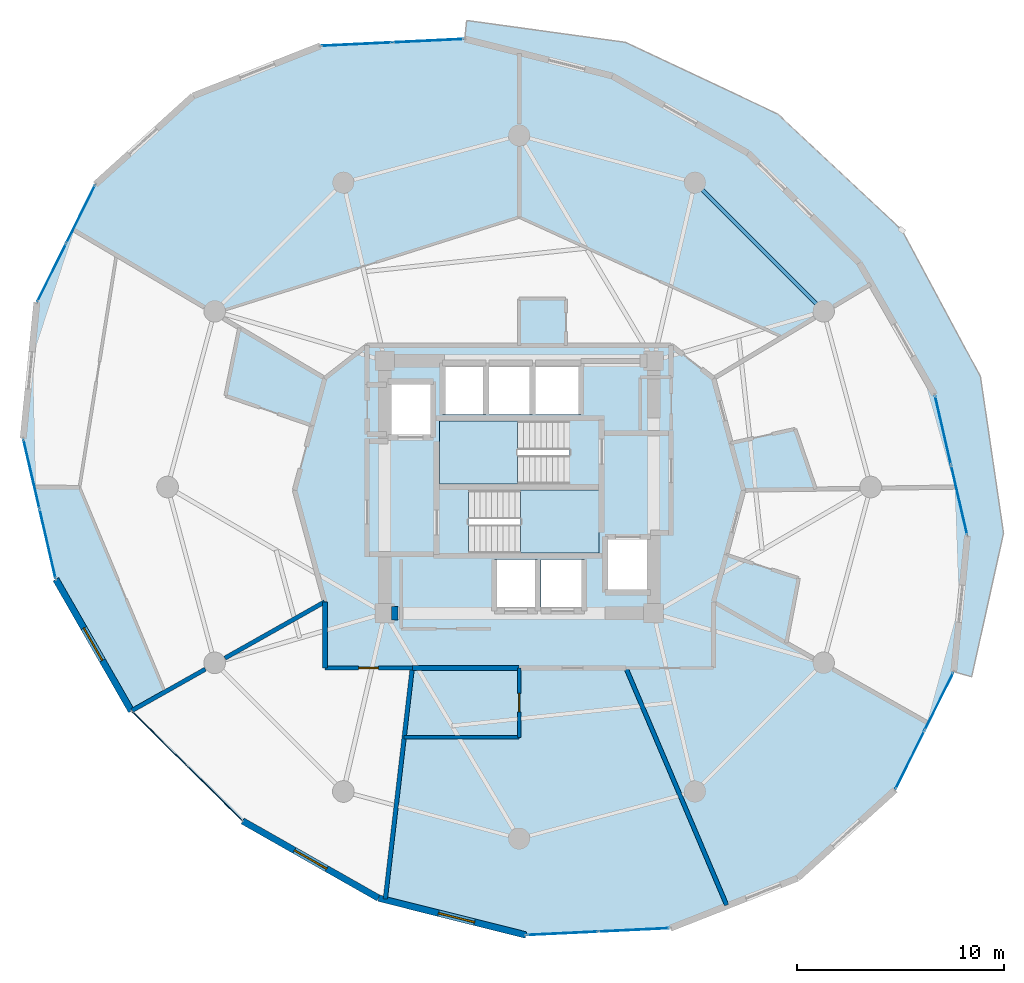
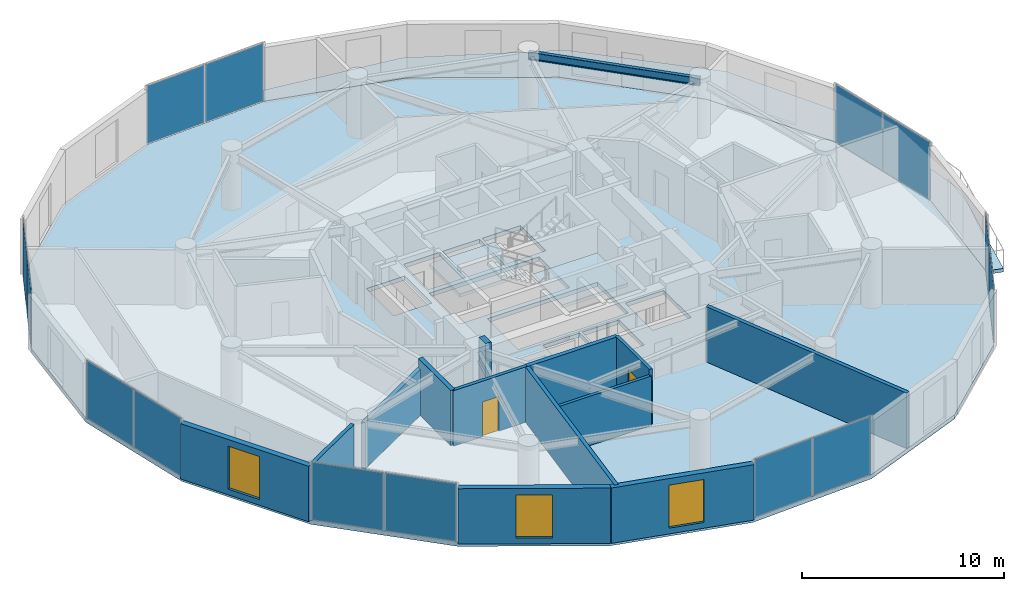
# One storey, part 19 of 25: 14 plates, 13 walls, 4 slabs, 3 windows, 2 doors, 1 beam, 5 openings, 9 elements without a shape of their own.
"""IFC4 building model written with IfcOpenShell, lengths in metres."""

from ifc_helpers import new_model, si_unit, direction, frame, frame_2d, origin, origin_2d, place, context, subcontext, project, spatial, polyline, rectangle, i_section, outline, extrude, source, transform, mapped, material, layer, layer_set, material_profile, profile_set, type_object, element, fill, aggregate, save


model = new_model("IFC4")

# Units and contexts
model_context = context("Model", 3, precision=1e-05, world=origin(), true_north=direction((0.0, 1.0)))
body_context = subcontext(model_context, "Body", "Model", "MODEL_VIEW")
ifc_project = project(units=[si_unit("LENGTHUNIT", "METRE"), si_unit("AREAUNIT", "SQUARE_METRE"), si_unit("VOLUMEUNIT", "CUBIC_METRE"), si_unit("PLANEANGLEUNIT", "RADIAN"), si_unit("MASSUNIT", "GRAM", prefix="KILO")], contexts=[model_context])

# Site, building, storey
site_placement = place(None, origin())
site = spatial("IfcSite", under=ifc_project, at=site_placement, CompositionType="ELEMENT")
building_placement = place(site_placement, origin())
building = spatial("IfcBuilding", under=site, at=building_placement, Name="Solvirekh Grand Hotel", CompositionType="ELEMENT")
storey_placement = place(building_placement, frame((0.0, 0.0, 124.199951171875)))
storey = spatial("IfcBuildingStorey", under=building, at=storey_placement, Name="L31", CompositionType="ELEMENT", Elevation=124.199951171875)

# Beam
ifc_material_1 = material(Name="Steel S355", Category="steel")
ifc_material_profile = material_profile(ifc_material_1, i_section(OverallWidth=0.18994140625, OverallDepth=0.45703125, WebThickness=0.009033203125, FlangeThickness=0.013916015625, FilletRadius=0.012939453125, at=origin_2d()), Name="W460X74")
ifc_profile_set = profile_set([ifc_material_profile], Name="Steel S355")
beam_type = type_object("IfcBeamType", Name="Spandrel_Ring_W460", PredefinedType="SPANDREL", material=ifc_profile_set)
beam_placement = place(storey_placement, frame((14.721923828125, 8.5, 3.1220703125), z_axis=(-0.707106781187, 0.707106781187, 0.0), x_axis=(-0.707106781187, -0.707106781187, 0.0)))
element("IfcBeam", 1, at=beam_placement, inside=storey, type_object=beam_type, Name="L31 perimeter spandrel beam 2", PredefinedType="SPANDREL", context=body_context, shape_type="SweptSolid", body=[
    extrude(i_section(OverallWidth=0.18994140625, OverallDepth=0.45703125, WebThickness=0.009033203125, FlangeThickness=0.013916015625, FilletRadius=0.012939453125, at=origin_2d()), origin(), (0.0, 0.0, 1.0), 8.799072265625),
])

# Slab
ifc_material_2 = material(Name="Concrete C50/60", Category="concrete")
ifc_layer_1 = layer(ifc_material_2, 0.215087890625)
ifc_layer_set_1 = layer_set([ifc_layer_1], Name="Concrete C50/60")
slab_type_1 = type_object("IfcSlabType", Name="ExtCrescentBalc_215", PredefinedType="FLOOR", material=ifc_layer_set_1)
slab_1_placement = place(storey_placement, frame((0.0, 0.0, -0.21484375)))
element("IfcSlab", 2, at=slab_1_placement, inside=storey, type_object=slab_type_1, Name="L31 sweeping crescent balcony slab", PredefinedType="FLOOR", context=body_context, shape_type="SweptSolid", body=[
    extrude(outline(polyline([(21.882080078125, -9.175048828125), (23.422119140625, -2.22998046875), (22.306884765625, 5.3359375), (18.5048828125, 12.424072265625), (12.501953125, 18.0380859375), (5.15087890625, 21.501953125), (-2.537109375, 22.56005859375), (-2.62890625, 21.6650390625), (4.4970703125, 19.87890625), (11.071044921875, 16.14697265625), (16.447998046875, 10.833984375), (20.10205078125, 4.4609375), (21.676025390625, -2.34912109375), (21.01611328125, -8.928955078125), (21.882080078125, -9.175048828125)])), origin(), (0.0, 0.0, 1.0), 0.21484375),
])

# Stair, slab
ifc_material_3 = material(Name="Concrete C40/50", Category="concrete")
stair_type = type_object("IfcStairType", Name="Stair_Core_1450", PredefinedType="HALF_TURN_STAIR", material=ifc_material_3)
stair_1_placement = place(storey_placement, origin())
stair_1 = element("IfcStair", 3, at=stair_1_placement, inside=storey, type_object=stair_type, Name="L31 Enclosed exit stair ST-1", PredefinedType="HALF_TURN_STAIR")
ifc_layer_2 = layer(ifc_material_3, 0.199951171875)
ifc_layer_set_2 = layer_set([ifc_layer_2], Name="Concrete C40/50")
slab_type_2 = type_object("IfcSlabType", Name="Landing_Stair_200", PredefinedType="LANDING", material=ifc_layer_set_2)
slab_2_placement = place(storey_placement, frame((0.0, 0.0, 1.60009765625)))
slab_2 = element("IfcSlab", 4, at=slab_2_placement, type_object=slab_type_2, Name="ST-1 landing 1", PredefinedType="LANDING", context=body_context, shape_type="SweptSolid", body=[
    extrude(outline(polyline([(0.070068359375, -3.199951171875), (3.85009765625, -3.199951171875), (3.85009765625, -0.14990234375), (0.070068359375, -0.14990234375), (0.070068359375, -3.199951171875)])), origin(), (0.0, 0.0, 1.0), 0.199951171875),
])
aggregate(stair_1, [slab_2])

stair_2_placement = place(storey_placement, origin())
stair_2 = element("IfcStair", 5, at=stair_2_placement, inside=storey, type_object=stair_type, Name="L31 Enclosed exit stair ST-2", PredefinedType="HALF_TURN_STAIR")
slab_3_placement = place(storey_placement, frame((0.0, 0.0, 1.60009765625)))
slab_3 = element("IfcSlab", 6, at=slab_3_placement, type_object=slab_type_2, Name="ST-2 landing 1", PredefinedType="LANDING", context=body_context, shape_type="SweptSolid", body=[
    extrude(outline(polyline([(-0.070068359375, 3.199951171875), (-3.85009765625, 3.199951171875), (-3.85009765625, 0.14990234375), (-0.070068359375, 0.14990234375), (-0.070068359375, 3.199951171875)])), origin(), (0.0, 0.0, 1.0), 0.199951171875),
])
aggregate(stair_2, [slab_3])

# Slab
ifc_layer_3 = layer(ifc_material_2, 0.25)
ifc_layer_set_3 = layer_set([ifc_layer_3], Name="Concrete C50/60")
slab_type_3 = type_object("IfcSlabType", Name="Slab_GuestZ2_250", PredefinedType="FLOOR", material=ifc_layer_set_3)
slab_4_placement = place(storey_placement, frame((0.0, 0.0, -0.25)))
element("IfcSlab", 7, at=slab_4_placement, inside=storey, type_object=slab_type_3, Name="L31 structural floor slab", PredefinedType="FLOOR", context=body_context, shape_type="SweptSolid", body=[
    extrude(outline(polyline([(18.18603515625, -14.635009765625), (21.01611328125, -8.928955078125), (21.676025390625, -2.34912109375), (20.10205078125, 4.4609375), (16.447998046875, 10.833984375), (11.071044921875, 16.14697265625), (4.4970703125, 19.87890625), (-2.62890625, 21.6650390625), (-9.610107421875, 21.330078125), (-15.763916015625, 18.907958984375), (-20.486083984375, 14.635009765625), (-23.31591796875, 8.928955078125), (-23.97607421875, 2.34912109375), (-22.402099609375, -4.4609375), (-18.748046875, -10.833984375), (-13.37109375, -16.14697265625), (-6.797119140625, -19.87890625), (0.3291015625, -21.6650390625), (7.31005859375, -21.330078125), (13.464111328125, -18.907958984375), (18.18603515625, -14.635009765625)]), holes=[polyline([(-2.444091796875, -0.14990234375), (3.85009765625, -0.14990234375), (3.85009765625, -3.199951171875), (-2.444091796875, -3.199951171875), (-2.444091796875, -0.14990234375)]), polyline([(2.444091796875, 0.14990234375), (-3.85009765625, 0.14990234375), (-3.85009765625, 3.199951171875), (2.444091796875, 3.199951171875), (2.444091796875, 0.14990234375)]), polyline([(-1.199951171875, -3.5), (0.89990234375, -3.5), (0.89990234375, -6.0), (-1.199951171875, -6.0), (-1.199951171875, -3.5)]), polyline([(1.050048828125, -3.5), (3.14990234375, -3.5), (3.14990234375, -6.0), (1.050048828125, -6.0), (1.050048828125, -3.5)]), polyline([(-3.699951171875, 6.0), (-1.60009765625, 6.0), (-1.60009765625, 3.5), (-3.699951171875, 3.5), (-3.699951171875, 6.0)]), polyline([(-1.449951171875, 6.0), (0.64990234375, 6.0), (0.64990234375, 3.5), (-1.449951171875, 3.5), (-1.449951171875, 6.0)]), polyline([(0.800048828125, 6.0), (3.0, 6.0), (3.0, 3.5), (0.800048828125, 3.5), (0.800048828125, 6.0)]), polyline([(-6.35009765625, 5.10009765625), (-4.14990234375, 5.10009765625), (-4.14990234375, 2.39990234375), (-6.35009765625, 2.39990234375), (-6.35009765625, 5.10009765625)]), polyline([(4.14990234375, -2.39990234375), (6.35009765625, -2.39990234375), (6.35009765625, -5.10009765625), (4.14990234375, -5.10009765625), (4.14990234375, -2.39990234375)])]), origin(), (0.0, 0.0, 1.0), 0.25),
])

# Curtain wall, plates
ifc_material_4 = material(Name="Anodized Bronze Aluminium 6063-T6", Category="aluminium")
ifc_layer_4 = layer(ifc_material_4, 0.175048828125)
ifc_layer_set_4 = layer_set([ifc_layer_4], Name="Anodized Bronze Aluminium 6063-T6")
curtain_wall_type = type_object("IfcCurtainWallType", Name="CW_Sys3_MidZoneFlushBronzeCW", PredefinedType="NOTDEFINED", material=ifc_layer_set_4)
curtain_wall_1_placement = place(storey_placement, origin())
curtain_wall_1 = element("IfcCurtainWall", 8, at=curtain_wall_1_placement, inside=storey, type_object=curtain_wall_type, Name="L31 unitised bronze-glass curtain wall CW-L31-C01", PredefinedType="NOTDEFINED")
ifc_material_5 = material(Name="Low-E Tinted Bronze Laminated Glass", Category="aluminium")
ifc_layer_5 = layer(ifc_material_5, 0.035888671875)
ifc_layer_set_5 = layer_set([ifc_layer_5], Name="Low-E Tinted Bronze Laminated Glass")
plate_type = type_object("IfcPlateType", Name="CWPanel_Mid_36", PredefinedType="CURTAIN_PANEL", material=ifc_layer_set_5)
shared_shape_1 = source(origin(), body_context, "Body", "SweptSolid", [
    extrude(rectangle(XDim=3.087158203125, YDim=0.035888671875, at=origin_2d()), origin(), (0.0, 0.0, 1.0), 3.489990234375),
])
plate_1_placement = place(storey_placement, frame((18.900634765625, -13.19384765625, 0.05517578125), z_axis=(0.0, 0.0, 1.0), x_axis=(0.444322382313, 0.895866965892, 0.0)))
plate_1 = element("IfcPlate", 9, at=plate_1_placement, type_object=plate_type, Name="U03 panel 1.1", PredefinedType="CURTAIN_PANEL", context=body_context, shape_type="MappedRepresentation", body=[
    mapped(shared_shape_1, transform((0.0, 0.0, 0.0), x_axis=(1.0, 0.0, 0.0), y_axis=(0.0, 1.0, 0.0), z_axis=(0.0, 0.0, 1.0), scale=1.0)),
])
plate_2_placement = place(storey_placement, frame((20.30126953125, -10.3701171875, 0.05517578125), z_axis=(0.0, 0.0, 1.0), x_axis=(0.444322382313, 0.895866965892, 0.0)))
plate_2 = element("IfcPlate", 10, at=plate_2_placement, type_object=plate_type, Name="U03 panel 2.1", PredefinedType="CURTAIN_PANEL", context=body_context, shape_type="MappedRepresentation", body=[
    mapped(shared_shape_1, transform((0.0, 0.0, 0.0), x_axis=(1.0, 0.0, 0.0), y_axis=(0.0, 1.0, 0.0), z_axis=(0.0, 0.0, 1.0), scale=1.0)),
])
aggregate(curtain_wall_1, [plate_1, plate_2])

curtain_wall_2_placement = place(storey_placement, origin())
curtain_wall_2 = element("IfcCurtainWall", 11, at=curtain_wall_2_placement, inside=storey, type_object=curtain_wall_type, Name="L31 unitised bronze-glass curtain wall CW-L31-C11", PredefinedType="NOTDEFINED")
plate_3_placement = place(storey_placement, frame((-21.20068359375, 13.19384765625, 0.05517578125), z_axis=(0.0, 0.0, 1.0), x_axis=(-0.444322382313, -0.895866965892, 0.0)))
plate_3 = element("IfcPlate", 12, at=plate_3_placement, type_object=plate_type, Name="U03 panel 1.1", PredefinedType="CURTAIN_PANEL", context=body_context, shape_type="MappedRepresentation", body=[
    mapped(shared_shape_1, transform((0.0, 0.0, 0.0), x_axis=(1.0, 0.0, 0.0), y_axis=(0.0, 1.0, 0.0), z_axis=(0.0, 0.0, 1.0), scale=1.0)),
])
plate_4_placement = place(storey_placement, frame((-22.601318359375, 10.3701171875, 0.05517578125), z_axis=(0.0, 0.0, 1.0), x_axis=(-0.444322382313, -0.895866965892, 0.0)))
plate_4 = element("IfcPlate", 13, at=plate_4_placement, type_object=plate_type, Name="U03 panel 2.1", PredefinedType="CURTAIN_PANEL", context=body_context, shape_type="MappedRepresentation", body=[
    mapped(shared_shape_1, transform((0.0, 0.0, 0.0), x_axis=(1.0, 0.0, 0.0), y_axis=(0.0, 1.0, 0.0), z_axis=(0.0, 0.0, 1.0), scale=1.0)),
])
aggregate(curtain_wall_2, [plate_3, plate_4])

curtain_wall_3_placement = place(storey_placement, origin())
curtain_wall_3 = element("IfcCurtainWall", 14, at=curtain_wall_3_placement, inside=storey, type_object=curtain_wall_type, Name="L31 unitised bronze-glass curtain wall CW-L31-C03", PredefinedType="NOTDEFINED")
shared_shape_2 = source(origin(), body_context, "Body", "SweptSolid", [
    extrude(rectangle(XDim=3.397216796875, YDim=0.035888671875, at=origin_2d()), origin(), (0.0, 0.0, 1.0), 3.489990234375),
])
plate_5_placement = place(storey_placement, frame((21.27880859375, -0.630615234375, 0.05517578125), z_axis=(0.0, 0.0, 1.0), x_axis=(-0.225193861801, 0.974313976399, 0.0)))
plate_5 = element("IfcPlate", 15, at=plate_5_placement, type_object=plate_type, Name="U03 panel 1.1", PredefinedType="CURTAIN_PANEL", context=body_context, shape_type="MappedRepresentation", body=[
    mapped(shared_shape_2, transform((0.0, 0.0, 0.0), x_axis=(1.0, 0.0, 0.0), y_axis=(0.0, 1.0, 0.0), z_axis=(0.0, 0.0, 1.0), scale=1.0)),
])
plate_6_placement = place(storey_placement, frame((20.499267578125, 2.74267578125, 0.05517578125), z_axis=(0.0, 0.0, 1.0), x_axis=(-0.225193861801, 0.974313976399, 0.0)))
plate_6 = element("IfcPlate", 16, at=plate_6_placement, type_object=plate_type, Name="U03 panel 2.1", PredefinedType="CURTAIN_PANEL", context=body_context, shape_type="MappedRepresentation", body=[
    mapped(shared_shape_2, transform((0.0, 0.0, 0.0), x_axis=(1.0, 0.0, 0.0), y_axis=(0.0, 1.0, 0.0), z_axis=(0.0, 0.0, 1.0), scale=1.0)),
])
aggregate(curtain_wall_3, [plate_5, plate_6])

curtain_wall_4_placement = place(storey_placement, origin())
curtain_wall_4 = element("IfcCurtainWall", 17, at=curtain_wall_4_placement, inside=storey, type_object=curtain_wall_type, Name="L31 unitised bronze-glass curtain wall CW-L31-C13", PredefinedType="NOTDEFINED")
plate_7_placement = place(storey_placement, frame((-23.578857421875, 0.630615234375, 0.05517578125), z_axis=(0.0, 0.0, 1.0), x_axis=(0.225193861801, -0.974313976399, 0.0)))
plate_7 = element("IfcPlate", 18, at=plate_7_placement, type_object=plate_type, Name="U03 panel 1.1", PredefinedType="CURTAIN_PANEL", context=body_context, shape_type="MappedRepresentation", body=[
    mapped(shared_shape_2, transform((0.0, 0.0, 0.0), x_axis=(1.0, 0.0, 0.0), y_axis=(0.0, 1.0, 0.0), z_axis=(0.0, 0.0, 1.0), scale=1.0)),
])
plate_8_placement = place(storey_placement, frame((-22.799072265625, -2.74267578125, 0.05517578125), z_axis=(0.0, 0.0, 1.0), x_axis=(0.225193861801, -0.974313976399, 0.0)))
plate_8 = element("IfcPlate", 19, at=plate_8_placement, type_object=plate_type, Name="U03 panel 2.1", PredefinedType="CURTAIN_PANEL", context=body_context, shape_type="MappedRepresentation", body=[
    mapped(shared_shape_2, transform((0.0, 0.0, 0.0), x_axis=(1.0, 0.0, 0.0), y_axis=(0.0, 1.0, 0.0), z_axis=(0.0, 0.0, 1.0), scale=1.0)),
])
aggregate(curtain_wall_4, [plate_7, plate_8])

curtain_wall_5_placement = place(storey_placement, origin())
curtain_wall_5 = element("IfcCurtainWall", 20, at=curtain_wall_5_placement, inside=storey, type_object=curtain_wall_type, Name="L31 unitised bronze-glass curtain wall CW-L31-C15", PredefinedType="NOTDEFINED")
shared_shape_3 = source(origin(), body_context, "Body", "SweptSolid", [
    extrude(rectangle(XDim=3.68212890625, YDim=0.035888671875, at=origin_2d()), origin(), (0.0, 0.0, 1.0), 3.489990234375),
])
plate_9_placement = place(storey_placement, frame((-17.39208984375, -12.173583984375, 0.05517578125), z_axis=(0.0, 0.0, 1.0), x_axis=(0.711327413407, -0.702860804808, 0.0)))
plate_9 = element("IfcPlate", 21, at=plate_9_placement, type_object=plate_type, Name="U03 panel 1.1", PredefinedType="CURTAIN_PANEL", context=body_context, shape_type="MappedRepresentation", body=[
    mapped(shared_shape_3, transform((0.0, 0.0, 0.0), x_axis=(1.0, 0.0, 0.0), y_axis=(0.0, 1.0, 0.0), z_axis=(0.0, 0.0, 1.0), scale=1.0)),
])
plate_10_placement = place(storey_placement, frame((-14.726806640625, -14.807373046875, 0.05517578125), z_axis=(0.0, 0.0, 1.0), x_axis=(0.711327413407, -0.702860804808, 0.0)))
plate_10 = element("IfcPlate", 22, at=plate_10_placement, type_object=plate_type, Name="U03 panel 2.1", PredefinedType="CURTAIN_PANEL", context=body_context, shape_type="MappedRepresentation", body=[
    mapped(shared_shape_3, transform((0.0, 0.0, 0.0), x_axis=(1.0, 0.0, 0.0), y_axis=(0.0, 1.0, 0.0), z_axis=(0.0, 0.0, 1.0), scale=1.0)),
])
aggregate(curtain_wall_5, [plate_9, plate_10])

curtain_wall_6_placement = place(storey_placement, origin())
curtain_wall_6 = element("IfcCurtainWall", 23, at=curtain_wall_6_placement, inside=storey, type_object=curtain_wall_type, Name="L31 unitised bronze-glass curtain wall CW-L31-C08", PredefinedType="NOTDEFINED")
shared_shape_4 = source(origin(), body_context, "Body", "SweptSolid", [
    extrude(rectangle(XDim=3.39697265625, YDim=0.035888671875, at=origin_2d()), origin(), (0.0, 0.0, 1.0), 3.489990234375),
])
plate_11_placement = place(storey_placement, frame((-4.390380859375, 21.58056640625, 0.05517578125), z_axis=(0.0, 0.0, 1.0), x_axis=(-0.998850589749, -0.047932237159, 0.0)))
plate_11 = element("IfcPlate", 24, at=plate_11_placement, type_object=plate_type, Name="U03 panel 1.1", PredefinedType="CURTAIN_PANEL", context=body_context, shape_type="MappedRepresentation", body=[
    mapped(shared_shape_4, transform((0.0, 0.0, 0.0), x_axis=(1.0, 0.0, 0.0), y_axis=(0.0, 1.0, 0.0), z_axis=(0.0, 0.0, 1.0), scale=1.0)),
])
plate_12_placement = place(storey_placement, frame((-7.8486328125, 21.41455078125, 0.05517578125), z_axis=(0.0, 0.0, 1.0), x_axis=(-0.998850589749, -0.047932237159, 0.0)))
plate_12 = element("IfcPlate", 25, at=plate_12_placement, type_object=plate_type, Name="U03 panel 2.1", PredefinedType="CURTAIN_PANEL", context=body_context, shape_type="MappedRepresentation", body=[
    mapped(shared_shape_4, transform((0.0, 0.0, 0.0), x_axis=(1.0, 0.0, 0.0), y_axis=(0.0, 1.0, 0.0), z_axis=(0.0, 0.0, 1.0), scale=1.0)),
])
aggregate(curtain_wall_6, [plate_11, plate_12])

curtain_wall_7_placement = place(storey_placement, origin())
curtain_wall_7 = element("IfcCurtainWall", 26, at=curtain_wall_7_placement, inside=storey, type_object=curtain_wall_type, Name="L31 unitised bronze-glass curtain wall CW-L31-C18", PredefinedType="NOTDEFINED")
plate_13_placement = place(storey_placement, frame((2.090576171875, -21.58056640625, 0.05517578125), z_axis=(0.0, 0.0, 1.0), x_axis=(0.998850589749, 0.047932237159, 0.0)))
plate_13 = element("IfcPlate", 27, at=plate_13_placement, type_object=plate_type, Name="U03 panel 1.1", PredefinedType="CURTAIN_PANEL", context=body_context, shape_type="MappedRepresentation", body=[
    mapped(shared_shape_4, transform((0.0, 0.0, 0.0), x_axis=(1.0, 0.0, 0.0), y_axis=(0.0, 1.0, 0.0), z_axis=(0.0, 0.0, 1.0), scale=1.0)),
])
plate_14_placement = place(storey_placement, frame((5.548583984375, -21.41455078125, 0.05517578125), z_axis=(0.0, 0.0, 1.0), x_axis=(0.998850589749, 0.047932237159, 0.0)))
plate_14 = element("IfcPlate", 28, at=plate_14_placement, type_object=plate_type, Name="U03 panel 2.1", PredefinedType="CURTAIN_PANEL", context=body_context, shape_type="MappedRepresentation", body=[
    mapped(shared_shape_4, transform((0.0, 0.0, 0.0), x_axis=(1.0, 0.0, 0.0), y_axis=(0.0, 1.0, 0.0), z_axis=(0.0, 0.0, 1.0), scale=1.0)),
])
aggregate(curtain_wall_7, [plate_13, plate_14])

# Wall
ifc_layer_6 = layer(ifc_material_2, 0.64990234375)
ifc_layer_set_6 = layer_set([ifc_layer_6], Name="Concrete C50/60")
wall_type_1 = type_object("IfcWallType", Name="CoreWall_RC650", PredefinedType="SHEAR", material=ifc_layer_set_6)
wall_1_placement = place(storey_placement, frame((-6.175048828125, -6.10009765625, 0.0), z_axis=(0.0, 0.0, 1.0), x_axis=(1.0, 0.0, 0.0)))
element("IfcWall", 29, at=wall_1_placement, inside=storey, type_object=wall_type_1, Name="L31 core corner shear wall SW-S", PredefinedType="SHEAR", context=body_context, shape_type="SweptSolid", body=[
    extrude(rectangle(XDim=0.324951171875, YDim=0.64990234375, at=frame_2d((0.16259765625, 0.0))), origin(), (0.0, 0.0, 1.0), 3.60009765625),
])

# Wall, opening, window
ifc_material_6 = material(Name="Precast concrete C45/55", Category="concrete")
ifc_layer_7 = layer(ifc_material_6, 0.320068359375)
ifc_layer_set_7 = layer_set([ifc_layer_7], Name="Precast concrete C45/55")
wall_type_2 = type_object("IfcWallType", Name="ExtLobbyWall_RC320", PredefinedType="SOLIDWALL", material=ifc_layer_set_7)
wall_2_placement = place(storey_placement, frame((-18.748046875, -10.833984375, 0.0), z_axis=(0.0, 0.0, 1.0), x_axis=(-0.497401787227, 0.8675202949, 0.0)))
wall_2 = element("IfcWall", 30, at=wall_2_placement, inside=storey, type_object=wall_type_2, Name="L31 exterior structural wall chord 14", PredefinedType="SOLIDWALL", context=body_context, shape_type="SweptSolid", body=[
    extrude(rectangle(XDim=7.34619140625, YDim=0.320068359375, at=frame_2d((3.673095703125, 0.0))), origin(), (0.0, 0.0, 1.0), 3.35009765625),
])
opening_1_placement = place(wall_2_placement, frame((2.826904296875, 0.0, 0.35009765625)))
opening_1 = element("IfcOpeningElement", 31, at=opening_1_placement, cuts=wall_2, Name="Opening W02", PredefinedType="OPENING", context=body_context, shape_type="SweptSolid", body=[
    extrude(rectangle(XDim=1.800048828125, YDim=2.60009765625, at=frame_2d((0.89990234375, 1.300048828125))), frame((0.0, 0.169921875, 0.0), z_axis=(0.0, -1.0, 0.0), x_axis=(1.0, 0.0, 0.0)), (0.0, 0.0, 1.0), 0.340087890625),
])
window_type = type_object("IfcWindowType", Name="Win_LobbyExt_1800X2600", PartitioningType="SINGLE_PANEL", PredefinedType="WINDOW", material=ifc_material_5)
window_1_placement = place(opening_1_placement, origin())
window_1 = element("IfcWindow", 32, at=window_1_placement, inside=storey, type_object=window_type, Name="L31 panoramic bronze-framed window 14", OverallHeight=2.60009765625, OverallWidth=1.800048828125, PartitioningType="SINGLE_PANEL", PredefinedType="WINDOW", context=body_context, shape_type="SweptSolid", body=[
    extrude(rectangle(XDim=1.800048828125, YDim=2.60009765625, at=frame_2d((0.89990234375, 1.300048828125))), frame((0.0, 0.030029296875, 0.0), z_axis=(0.0, -1.0, 0.0), x_axis=(1.0, 0.0, 0.0)), (0.0, 0.0, 1.0), 0.06005859375),
])
fill(opening_1, window_1)

wall_3_placement = place(storey_placement, frame((-6.797119140625, -19.87890625, 0.0), z_axis=(0.0, 0.0, 1.0), x_axis=(-0.869642820433, 0.493681440678, 0.0)))
wall_3 = element("IfcWall", 33, at=wall_3_placement, inside=storey, type_object=wall_type_2, Name="L31 exterior structural wall chord 16", PredefinedType="SOLIDWALL", context=body_context, shape_type="SweptSolid", body=[
    extrude(rectangle(XDim=7.559326171875, YDim=0.320068359375, at=frame_2d((3.77978515625, 0.0))), origin(), (0.0, 0.0, 1.0), 3.35009765625),
])
opening_2_placement = place(wall_3_placement, frame((2.8798828125, 0.0, 0.35009765625)))
opening_2 = element("IfcOpeningElement", 34, at=opening_2_placement, cuts=wall_3, Name="Opening W02", PredefinedType="OPENING", context=body_context, shape_type="SweptSolid", body=[
    extrude(rectangle(XDim=1.800048828125, YDim=2.60009765625, at=frame_2d((0.89990234375, 1.300048828125))), frame((0.0, 0.169921875, 0.0), z_axis=(0.0, -1.0, 0.0), x_axis=(1.0, 0.0, 0.0)), (0.0, 0.0, 1.0), 0.340087890625),
])
window_2_placement = place(opening_2_placement, origin())
window_2 = element("IfcWindow", 35, at=window_2_placement, inside=storey, type_object=window_type, Name="L31 panoramic bronze-framed window 16", OverallHeight=2.60009765625, OverallWidth=1.800048828125, PartitioningType="SINGLE_PANEL", PredefinedType="WINDOW", context=body_context, shape_type="SweptSolid", body=[
    extrude(rectangle(XDim=1.800048828125, YDim=2.60009765625, at=frame_2d((0.89990234375, 1.300048828125))), frame((0.0, 0.030029296875, 0.0), z_axis=(0.0, -1.0, 0.0), x_axis=(1.0, 0.0, 0.0)), (0.0, 0.0, 1.0), 0.06005859375),
])
fill(opening_2, window_2)

wall_4_placement = place(storey_placement, frame((0.3291015625, -21.6650390625, 0.0), z_axis=(0.0, 0.0, 1.0), x_axis=(-0.969995713118, 0.243122019842, 0.0)))
wall_4 = element("IfcWall", 36, at=wall_4_placement, inside=storey, type_object=wall_type_2, Name="L31 exterior structural wall chord 17", PredefinedType="SOLIDWALL", context=body_context, shape_type="SweptSolid", body=[
    extrude(rectangle(XDim=7.3466796875, YDim=0.320068359375, at=frame_2d((3.67333984375, 0.0))), origin(), (0.0, 0.0, 1.0), 3.35009765625),
])
opening_3_placement = place(wall_4_placement, frame((2.56103515625, 0.0, 0.35009765625)))
opening_3 = element("IfcOpeningElement", 37, at=opening_3_placement, cuts=wall_4, Name="Opening W02", PredefinedType="OPENING", context=body_context, shape_type="SweptSolid", body=[
    extrude(rectangle(XDim=1.800048828125, YDim=2.60009765625, at=frame_2d((0.89990234375, 1.300048828125))), frame((0.0, 0.169921875, 0.0), z_axis=(0.0, -1.0, 0.0), x_axis=(1.0, 0.0, 0.0)), (0.0, 0.0, 1.0), 0.340087890625),
])
window_3_placement = place(opening_3_placement, origin())
window_3 = element("IfcWindow", 38, at=window_3_placement, inside=storey, type_object=window_type, Name="L31 panoramic bronze-framed window 17", OverallHeight=2.60009765625, OverallWidth=1.800048828125, PartitioningType="SINGLE_PANEL", PredefinedType="WINDOW", context=body_context, shape_type="SweptSolid", body=[
    extrude(rectangle(XDim=1.800048828125, YDim=2.60009765625, at=frame_2d((0.89990234375, 1.300048828125))), frame((0.0, 0.030029296875, 0.0), z_axis=(0.0, -1.0, 0.0), x_axis=(1.0, 0.0, 0.0)), (0.0, 0.0, 1.0), 0.06005859375),
])
fill(opening_3, window_3)

# Walls
ifc_material_7 = material(Name="Acoustic Gypsum Partition Assembly")
ifc_layer_8 = layer(ifc_material_7, 0.239990234375)
ifc_layer_set_8 = layer_set([ifc_layer_8], Name="Acoustic Gypsum Partition Assembly")
wall_type_3 = type_object("IfcWallType", Name="Part_Corridor_240", PredefinedType="PARTITIONING", material=ifc_layer_set_8)
wall_5_placement = place(storey_placement, frame((-9.39599609375, -5.550048828125, 0.0), z_axis=(0.0, 0.0, 1.0), x_axis=(0.0, -1.0, 0.0)))
element("IfcWall", 39, at=wall_5_placement, inside=storey, type_object=wall_type_3, Name="L31 L31 Wellness Hydro Lounge corridor wall 1", PredefinedType="PARTITIONING", context=body_context, shape_type="SweptSolid", body=[
    extrude(rectangle(XDim=3.199951171875, YDim=0.239990234375, at=frame_2d((1.60009765625, 0.0))), origin(), (0.0, 0.0, 1.0), 3.35009765625),
])
wall_6_placement = place(storey_placement, frame((-5.16796875, -8.75, 0.0), z_axis=(0.0, 0.0, 1.0), x_axis=(1.0, 0.0, 0.0)))
element("IfcWall", 40, at=wall_6_placement, inside=storey, type_object=wall_type_3, Name="L31 En-suite Bathroom 3305 corridor backing wall", PredefinedType="PARTITIONING", context=body_context, shape_type="SweptSolid", body=[
    extrude(rectangle(XDim=5.16796875, YDim=0.239990234375, at=frame_2d((2.583984375, 0.0))), origin(), (0.0, 0.0, 1.0), 3.35009765625),
])

# Wall, opening, door
ifc_layer_9 = layer(ifc_material_7, 0.18994140625)
ifc_layer_set_9 = layer_set([ifc_layer_9], Name="Acoustic Gypsum Partition Assembly")
wall_type_4 = type_object("IfcWallType", Name="Part_GuestDemise_190", PredefinedType="PARTITIONING", material=ifc_layer_set_9)
wall_7_placement = place(storey_placement, frame((-9.39599609375, -8.75, 0.0), z_axis=(0.0, 0.0, 1.0), x_axis=(1.0, 0.0, 0.0)))
wall_7 = element("IfcWall", 41, at=wall_7_placement, inside=storey, type_object=wall_type_4, Name="L31 L31 Wellness Hydro Lounge entrance wall", PredefinedType="PARTITIONING", context=body_context, shape_type="SweptSolid", body=[
    extrude(rectangle(XDim=4.22802734375, YDim=0.18994140625, at=frame_2d((2.114013671875, 0.0))), origin(), (0.0, 0.0, 1.0), 3.35009765625),
])
opening_4_placement = place(wall_7_placement, frame((1.638916015625, 0.0, 0.0)))
opening_4 = element("IfcOpeningElement", 42, at=opening_4_placement, cuts=wall_7, Name="Opening D10", PredefinedType="OPENING", context=body_context, shape_type="SweptSolid", body=[
    extrude(rectangle(XDim=0.949951171875, YDim=2.10009765625, at=frame_2d((0.47509765625, 1.050048828125))), frame((0.0, 0.10498046875, 0.0), z_axis=(0.0, -1.0, 0.0), x_axis=(1.0, 0.0, 0.0)), (0.0, 0.0, 1.0), 0.2099609375),
])
door_type_1 = type_object("IfcDoorType", Name="Door_RoomInt_950X2100", OperationType="NOTDEFINED", PredefinedType="DOOR", material=ifc_material_4)
door_1_placement = place(opening_4_placement, origin())
door_1 = element("IfcDoor", 43, at=door_1_placement, inside=storey, type_object=door_type_1, Name="L31 L31 Wellness Hydro Lounge entrance door", OperationType="SINGLE_SWING_RIGHT", OverallHeight=2.10009765625, OverallWidth=0.949951171875, PredefinedType="DOOR", context=body_context, shape_type="SweptSolid", body=[
    extrude(rectangle(XDim=0.949951171875, YDim=2.10009765625, at=frame_2d((0.47509765625, 1.050048828125))), frame((0.0, 0.02490234375, 0.0), z_axis=(0.0, -1.0, 0.0), x_axis=(1.0, 0.0, 0.0)), (0.0, 0.0, 1.0), 0.050048828125),
])
fill(opening_4, door_1)

# Walls
ifc_layer_10 = layer(ifc_material_7, 0.2099609375)
ifc_layer_set_10 = layer_set([ifc_layer_10], Name="Acoustic Gypsum Partition Assembly")
wall_type_5 = type_object("IfcWallType", Name="Part_SuiteDemise_210", PredefinedType="PARTITIONING", material=ifc_layer_set_10)
wall_8_placement = place(storey_placement, frame((-9.39599609375, -5.550048828125, 0.0), z_axis=(0.0, 0.0, 1.0), x_axis=(-0.871038847926, -0.491214133962, 0.0)))
element("IfcWall", 44, at=wall_8_placement, inside=storey, type_object=wall_type_5, Name="L31 suite radial wall 8 (A)", PredefinedType="PARTITIONING", context=body_context, shape_type="SweptSolid", body=[
    extrude(rectangle(XDim=5.545166015625, YDim=0.2099609375, at=frame_2d((2.7724609375, 0.0))), origin(), (0.0, 0.0, 1.0), 2.791015625),
])
wall_9_placement = place(storey_placement, frame((-15.172119140625, -8.806884765625, 0.0), z_axis=(0.0, 0.0, 1.0), x_axis=(-0.871004787506, -0.49127452625, 0.0)))
element("IfcWall", 45, at=wall_9_placement, inside=storey, type_object=wall_type_5, Name="L31 suite radial wall 8 (B)", PredefinedType="PARTITIONING", context=body_context, shape_type="SweptSolid", body=[
    extrude(rectangle(XDim=4.071044921875, YDim=0.2099609375, at=frame_2d((2.03564453125, 0.0))), origin(), (0.0, 0.0, 1.0), 3.35009765625),
])
wall_10_placement = place(storey_placement, frame((-5.16796875, -8.75, 0.0), z_axis=(0.0, 0.0, 1.0), x_axis=(-0.115960666687, -0.993253806326, 0.0)))
element("IfcWall", 46, at=wall_10_placement, inside=storey, type_object=wall_type_5, Name="L31 L31 Wellness Hydro Lounge dividing partition 1", PredefinedType="PARTITIONING", context=body_context, shape_type="SweptSolid", body=[
    extrude(rectangle(XDim=11.244873046875, YDim=0.2099609375, at=frame_2d((5.62255859375, 0.0))), origin(), (0.0, 0.0, 1.0), 3.35009765625),
])
wall_11_placement = place(storey_placement, frame((5.16796875, -8.75, 0.0), z_axis=(0.0, 0.0, 1.0), x_axis=(0.390751692608, -0.920496124231, 0.0)))
element("IfcWall", 47, at=wall_11_placement, inside=storey, type_object=wall_type_5, Name="L31 Deluxe Guestroom 3305 dividing partition 1", PredefinedType="PARTITIONING", context=body_context, shape_type="SweptSolid", body=[
    extrude(rectangle(XDim=12.455322265625, YDim=0.2099609375, at=frame_2d((6.2275390625, 0.0))), origin(), (0.0, 0.0, 1.0), 3.35009765625),
])
ifc_layer_11 = layer(ifc_material_7, 0.175048828125)
ifc_layer_set_11 = layer_set([ifc_layer_11], Name="Acoustic Gypsum Partition Assembly")
wall_type_6 = type_object("IfcWallType", Name="Plumb_Ensuite_175", PredefinedType="PLUMBINGWALL", material=ifc_layer_set_11)
wall_12_placement = place(storey_placement, frame((-5.55908203125, -12.10107421875, 0.0), z_axis=(0.0, 0.0, 1.0), x_axis=(1.0, 0.0, 0.0)))
element("IfcWall", 48, at=wall_12_placement, inside=storey, type_object=wall_type_6, Name="L31 En-suite Bathroom 3305 outer plumbing wall", PredefinedType="PLUMBINGWALL", context=body_context, shape_type="SweptSolid", body=[
    extrude(rectangle(XDim=5.55908203125, YDim=0.175048828125, at=frame_2d((2.779541015625, 0.0))), origin(), (0.0, 0.0, 1.0), 2.985107421875),
])

# Wall, opening, door
wall_13_placement = place(storey_placement, frame((0.0, -8.75, 0.0), z_axis=(0.0, 0.0, 1.0), x_axis=(0.0, -1.0, 0.0)))
wall_13 = element("IfcWall", 49, at=wall_13_placement, inside=storey, type_object=wall_type_6, Name="L31 En-suite Bathroom 3305 entry plumbing wall", PredefinedType="PLUMBINGWALL", context=body_context, shape_type="SweptSolid", body=[
    extrude(rectangle(XDim=3.35107421875, YDim=0.175048828125, at=frame_2d((1.675537109375, 0.0))), origin(), (0.0, 0.0, 1.0), 3.35009765625),
])
opening_5_placement = place(wall_13_placement, frame((1.22607421875, 0.0, 0.0)))
opening_5 = element("IfcOpeningElement", 50, at=opening_5_placement, cuts=wall_13, Name="Opening D09", PredefinedType="OPENING", context=body_context, shape_type="SweptSolid", body=[
    extrude(rectangle(XDim=0.89990234375, YDim=2.10009765625, at=frame_2d((0.449951171875, 1.050048828125))), frame((0.0, 0.09765625, 0.0), z_axis=(0.0, -1.0, 0.0), x_axis=(1.0, 0.0, 0.0)), (0.0, 0.0, 1.0), 0.195068359375),
])
door_type_2 = type_object("IfcDoorType", Name="Door_Ensuite_900X2100", OperationType="NOTDEFINED", PredefinedType="DOOR", material=ifc_material_4)
door_2_placement = place(opening_5_placement, origin())
door_2 = element("IfcDoor", 51, at=door_2_placement, inside=storey, type_object=door_type_2, Name="L31 En-suite Bathroom 3305 door", OperationType="SINGLE_SWING_LEFT", OverallHeight=2.10009765625, OverallWidth=0.89990234375, PredefinedType="DOOR", context=body_context, shape_type="SweptSolid", body=[
    extrude(rectangle(XDim=0.89990234375, YDim=2.10009765625, at=frame_2d((0.449951171875, 1.050048828125))), frame((0.0, 0.02490234375, 0.0), z_axis=(0.0, -1.0, 0.0), x_axis=(1.0, 0.0, 0.0)), (0.0, 0.0, 1.0), 0.050048828125),
])
fill(opening_5, door_2)

save(model, "model.ifc")
